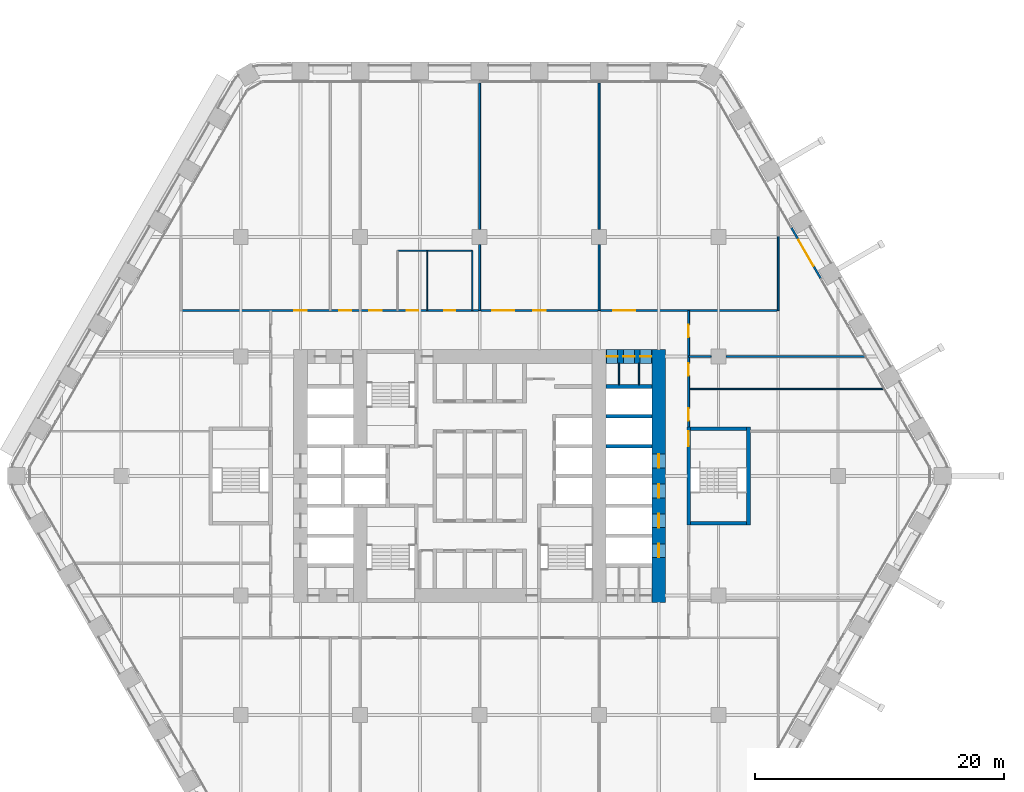
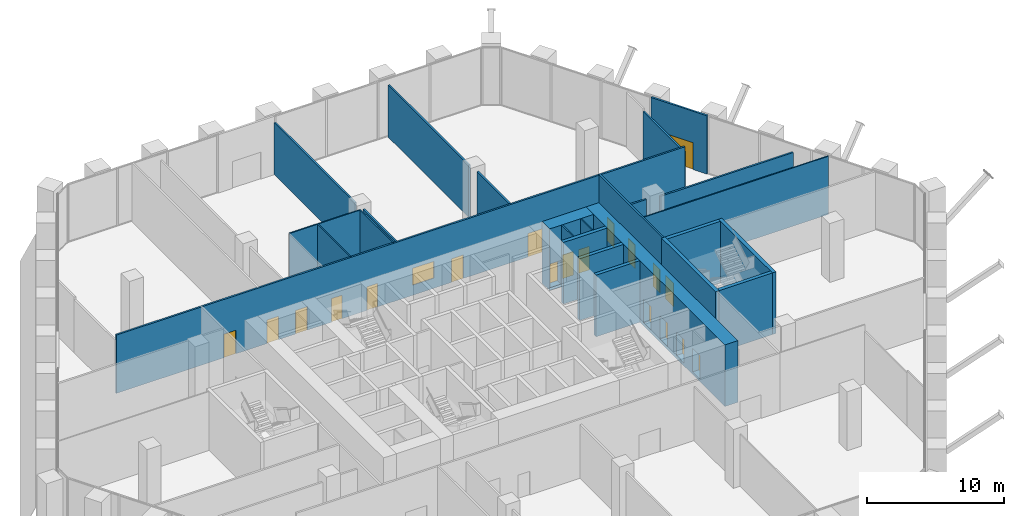
# One storey, part 22 of 29: 25 walls, 19 doors, 1 window, 20 openings.
"""IFC4 building model written with IfcOpenShell, lengths in metres."""

from ifc_helpers import new_model, si_unit, direction, frame, frame_2d, origin, place, context, subcontext, project, spatial, rectangle, extrude, material, layer, layer_set, type_object, element, fill, save


model = new_model("IFC4")

# Units and contexts
model_context = context("Model", 3, precision=1e-05, world=origin(), true_north=direction((0.0, 1.0)))
body_context = subcontext(model_context, "Body", "Model", "MODEL_VIEW")
ifc_project = project(units=[si_unit("LENGTHUNIT", "METRE"), si_unit("AREAUNIT", "SQUARE_METRE"), si_unit("VOLUMEUNIT", "CUBIC_METRE"), si_unit("PLANEANGLEUNIT", "RADIAN"), si_unit("MASSUNIT", "GRAM", prefix="KILO")], contexts=[model_context])

# Site, building, storey
site_placement = place(None, origin())
site = spatial("IfcSite", under=ifc_project, at=site_placement, CompositionType="ELEMENT")
building_placement = place(site_placement, origin())
building = spatial("IfcBuilding", under=site, at=building_placement, Name="Kolab Exchange Tower", CompositionType="ELEMENT")
storey_placement = place(building_placement, frame((0.0, 0.0, 55.39990234375)))
storey = spatial("IfcBuildingStorey", under=building, at=storey_placement, Name="L10", CompositionType="ELEMENT", Elevation=55.39990234375)

# Wall, openings, doors
ifc_material_1 = material(Name="Concrete C80/95", Category="concrete")
ifc_layer_1 = layer(ifc_material_1, 1.10009765625)
ifc_layer_set_1 = layer_set([ifc_layer_1], Name="Concrete C80/95")
wall_type_1 = type_object("IfcWallType", Name="CORE WALL 1100 C80/95", PredefinedType="SHEAR", material=ifc_layer_set_1)
wall_1_placement = place(storey_placement, frame((10.14990234375, 9.60009765625, -0.25), z_axis=(0.0, 0.0, 1.0), x_axis=(1.0, 0.0, 0.0)))
wall_1 = element("IfcWall", 1, at=wall_1_placement, inside=storey, type_object=wall_type_1, Name="wall/L10/core/053", PredefinedType="SHEAR", context=body_context, shape_type="SweptSolid", body=[
    extrude(rectangle(XDim=3.7001953125, YDim=1.10009765625, at=frame_2d((1.85009765625, 0.0))), origin(), (0.0, 0.0, 1.0), 5.5),
])
opening_1_placement = place(wall_1_placement, frame((0.050048828125, 0.0, 0.25)))
opening_1 = element("IfcOpeningElement", 2, at=opening_1_placement, cuts=wall_1, Name="Opening D6-119", PredefinedType="OPENING", context=body_context, shape_type="SweptSolid", body=[
    extrude(rectangle(XDim=0.89990234375, YDim=2.10009765625, at=frame_2d((0.449951171875, 1.050048828125))), frame((0.0, 0.56005859375, 0.0), z_axis=(0.0, -1.0, 0.0), x_axis=(1.0, 0.0, 0.0)), (0.0, 0.0, 1.0), 1.1201171875),
])
opening_2_placement = place(wall_1_placement, frame((1.39990234375, 0.0, 0.25)))
opening_2 = element("IfcOpeningElement", 3, at=opening_2_placement, cuts=wall_1, Name="Opening D6-114", PredefinedType="OPENING", context=body_context, shape_type="SweptSolid", body=[
    extrude(rectangle(XDim=0.89990234375, YDim=2.10009765625, at=frame_2d((0.449951171875, 1.050048828125))), frame((0.0, 0.56005859375, 0.0), z_axis=(0.0, -1.0, 0.0), x_axis=(1.0, 0.0, 0.0)), (0.0, 0.0, 1.0), 1.1201171875),
])
opening_3_placement = place(wall_1_placement, frame((2.75, 0.0, 0.25)))
opening_3 = element("IfcOpeningElement", 4, at=opening_3_placement, cuts=wall_1, Name="Opening D6-120", PredefinedType="OPENING", context=body_context, shape_type="SweptSolid", body=[
    extrude(rectangle(XDim=0.89990234375, YDim=2.10009765625, at=frame_2d((0.449951171875, 1.050048828125))), frame((0.0, 0.56005859375, 0.0), z_axis=(0.0, -1.0, 0.0), x_axis=(1.0, 0.0, 0.0)), (0.0, 0.0, 1.0), 1.1201171875),
])
ifc_material_2 = material(Name="Steel S235", Category="steel")
door_type_1 = type_object("IfcDoorType", Name="CORE DOOR 900 EI 120", OperationType="SINGLE_SWING_LEFT", PredefinedType="DOOR", material=ifc_material_2)
door_1_placement = place(opening_1_placement, frame((0.89990234375, 0.0, 0.0), z_axis=(0.0, 0.0, 1.0), x_axis=(-1.0, 0.0, 0.0)))
door_1 = element("IfcDoor", 5, at=door_1_placement, inside=storey, type_object=door_type_1, Name="Service room door", OperationType="SINGLE_SWING_RIGHT", OverallHeight=2.10009765625, OverallWidth=0.89990234375, PredefinedType="DOOR", context=body_context, shape_type="SweptSolid", body=[
    extrude(rectangle(XDim=0.89990234375, YDim=2.10009765625, at=frame_2d((0.449951171875, 1.050048828125))), frame((0.0, 0.02490234375, 0.0), z_axis=(0.0, -1.0, 0.0), x_axis=(1.0, 0.0, 0.0)), (0.0, 0.0, 1.0), 0.050048828125),
])
fill(opening_1, door_1)
door_2_placement = place(opening_2_placement, frame((0.89990234375, 0.0, 0.0), z_axis=(0.0, 0.0, 1.0), x_axis=(-1.0, 0.0, 0.0)))
door_2 = element("IfcDoor", 6, at=door_2_placement, inside=storey, type_object=door_type_1, Name="Service room door", OperationType="SINGLE_SWING_LEFT", OverallHeight=2.10009765625, OverallWidth=0.89990234375, PredefinedType="DOOR", context=body_context, shape_type="SweptSolid", body=[
    extrude(rectangle(XDim=0.89990234375, YDim=2.10009765625, at=frame_2d((0.449951171875, 1.050048828125))), frame((0.0, 0.02490234375, 0.0), z_axis=(0.0, -1.0, 0.0), x_axis=(1.0, 0.0, 0.0)), (0.0, 0.0, 1.0), 0.050048828125),
])
fill(opening_2, door_2)
door_3_placement = place(opening_3_placement, frame((0.89990234375, 0.0, 0.0), z_axis=(0.0, 0.0, 1.0), x_axis=(-1.0, 0.0, 0.0)))
door_3 = element("IfcDoor", 7, at=door_3_placement, inside=storey, type_object=door_type_1, Name="Service room door", OperationType="SINGLE_SWING_LEFT", OverallHeight=2.10009765625, OverallWidth=0.89990234375, PredefinedType="DOOR", context=body_context, shape_type="SweptSolid", body=[
    extrude(rectangle(XDim=0.89990234375, YDim=2.10009765625, at=frame_2d((0.449951171875, 1.050048828125))), frame((0.0, 0.02490234375, 0.0), z_axis=(0.0, -1.0, 0.0), x_axis=(1.0, 0.0, 0.0)), (0.0, 0.0, 1.0), 0.050048828125),
])
fill(opening_3, door_3)

wall_2_placement = place(storey_placement, frame((14.39990234375, -10.14990234375, -0.25), z_axis=(0.0, 0.0, 1.0), x_axis=(0.0, 1.0, 0.0)))
wall_2 = element("IfcWall", 8, at=wall_2_placement, inside=storey, type_object=wall_type_1, Name="wall/L10/core/081", PredefinedType="SHEAR", context=body_context, shape_type="SweptSolid", body=[
    extrude(rectangle(XDim=20.2998046875, YDim=1.10009765625, at=frame_2d((10.14990234375, 0.0))), origin(), (0.0, 0.0, 1.0), 5.5),
])
opening_4_placement = place(wall_2_placement, frame((3.60009765625, 0.0, 0.25)))
opening_4 = element("IfcOpeningElement", 9, at=opening_4_placement, cuts=wall_2, Name="Opening LD1-037", PredefinedType="OPENING", context=body_context, shape_type="SweptSolid", body=[
    extrude(rectangle(XDim=1.10009765625, YDim=2.10009765625, at=frame_2d((0.550048828125, 1.050048828125))), frame((0.0, 0.56005859375, 0.0), z_axis=(0.0, -1.0, 0.0), x_axis=(1.0, 0.0, 0.0)), (0.0, 0.0, 1.0), 1.1201171875),
])
opening_5_placement = place(wall_2_placement, frame((6.0, 0.0, 0.25)))
opening_5 = element("IfcOpeningElement", 10, at=opening_5_placement, cuts=wall_2, Name="Opening LD1-038", PredefinedType="OPENING", context=body_context, shape_type="SweptSolid", body=[
    extrude(rectangle(XDim=1.10009765625, YDim=2.10009765625, at=frame_2d((0.550048828125, 1.050048828125))), frame((0.0, 0.56005859375, 0.0), z_axis=(0.0, -1.0, 0.0), x_axis=(1.0, 0.0, 0.0)), (0.0, 0.0, 1.0), 1.1201171875),
])
opening_6_placement = place(wall_2_placement, frame((8.39990234375, 0.0, 0.25)))
opening_6 = element("IfcOpeningElement", 11, at=opening_6_placement, cuts=wall_2, Name="Opening LD1-039", PredefinedType="OPENING", context=body_context, shape_type="SweptSolid", body=[
    extrude(rectangle(XDim=1.10009765625, YDim=2.10009765625, at=frame_2d((0.550048828125, 1.050048828125))), frame((0.0, 0.56005859375, 0.0), z_axis=(0.0, -1.0, 0.0), x_axis=(1.0, 0.0, 0.0)), (0.0, 0.0, 1.0), 1.1201171875),
])
opening_7_placement = place(wall_2_placement, frame((10.800048828125, 0.0, 0.25)))
opening_7 = element("IfcOpeningElement", 12, at=opening_7_placement, cuts=wall_2, Name="Opening LD1-040", PredefinedType="OPENING", context=body_context, shape_type="SweptSolid", body=[
    extrude(rectangle(XDim=1.10009765625, YDim=2.10009765625, at=frame_2d((0.550048828125, 1.050048828125))), frame((0.0, 0.56005859375, 0.0), z_axis=(0.0, -1.0, 0.0), x_axis=(1.0, 0.0, 0.0)), (0.0, 0.0, 1.0), 1.1201171875),
])
ifc_material_3 = material(Name="Stainless steel 316", Category="steel")
door_type_2 = type_object("IfcDoorType", Name="LANDING DOOR 1100 PASSENGER", OperationType="DOUBLE_DOOR_SLIDING", PredefinedType="DOOR", material=ifc_material_3)
door_4_placement = place(opening_4_placement, origin())
door_4 = element("IfcDoor", 13, at=door_4_placement, inside=storey, type_object=door_type_2, Name="Landing door LR1", OperationType="DOUBLE_DOOR_SLIDING", OverallHeight=2.10009765625, OverallWidth=1.10009765625, PredefinedType="DOOR", context=body_context, shape_type="SweptSolid", body=[
    extrude(rectangle(XDim=1.10009765625, YDim=2.10009765625, at=frame_2d((0.550048828125, 1.050048828125))), frame((0.0, 0.02490234375, 0.0), z_axis=(0.0, -1.0, 0.0), x_axis=(1.0, 0.0, 0.0)), (0.0, 0.0, 1.0), 0.050048828125),
])
fill(opening_4, door_4)
door_5_placement = place(opening_5_placement, origin())
door_5 = element("IfcDoor", 14, at=door_5_placement, inside=storey, type_object=door_type_2, Name="Landing door LR2", OperationType="DOUBLE_DOOR_SLIDING", OverallHeight=2.10009765625, OverallWidth=1.10009765625, PredefinedType="DOOR", context=body_context, shape_type="SweptSolid", body=[
    extrude(rectangle(XDim=1.10009765625, YDim=2.10009765625, at=frame_2d((0.550048828125, 1.050048828125))), frame((0.0, 0.02490234375, 0.0), z_axis=(0.0, -1.0, 0.0), x_axis=(1.0, 0.0, 0.0)), (0.0, 0.0, 1.0), 0.050048828125),
])
fill(opening_5, door_5)
door_6_placement = place(opening_6_placement, origin())
door_6 = element("IfcDoor", 15, at=door_6_placement, inside=storey, type_object=door_type_2, Name="Landing door LR3", OperationType="DOUBLE_DOOR_SLIDING", OverallHeight=2.10009765625, OverallWidth=1.10009765625, PredefinedType="DOOR", context=body_context, shape_type="SweptSolid", body=[
    extrude(rectangle(XDim=1.10009765625, YDim=2.10009765625, at=frame_2d((0.550048828125, 1.050048828125))), frame((0.0, 0.02490234375, 0.0), z_axis=(0.0, -1.0, 0.0), x_axis=(1.0, 0.0, 0.0)), (0.0, 0.0, 1.0), 0.050048828125),
])
fill(opening_6, door_6)
door_7_placement = place(opening_7_placement, origin())
door_7 = element("IfcDoor", 16, at=door_7_placement, inside=storey, type_object=door_type_2, Name="Landing door LR4", OperationType="DOUBLE_DOOR_SLIDING", OverallHeight=2.10009765625, OverallWidth=1.10009765625, PredefinedType="DOOR", context=body_context, shape_type="SweptSolid", body=[
    extrude(rectangle(XDim=1.10009765625, YDim=2.10009765625, at=frame_2d((0.550048828125, 1.050048828125))), frame((0.0, 0.02490234375, 0.0), z_axis=(0.0, -1.0, 0.0), x_axis=(1.0, 0.0, 0.0)), (0.0, 0.0, 1.0), 0.050048828125),
])
fill(opening_7, door_7)

# Wall, opening, door
ifc_material_4 = material(Name="Aluminium EN AW-6063 T6", Category="aluminium")
ifc_layer_2 = layer(ifc_material_4, 0.159912109375)
ifc_layer_set_2 = layer_set([ifc_layer_2], Name="Aluminium EN AW-6063 T6")
wall_type_2 = type_object("IfcWallType", Name="DOOR SURROUND WALL 160 ALUMINIUM FRAMED", PredefinedType="PARTITIONING", material=ifc_layer_set_2)
wall_3_placement = place(storey_placement, frame((25.046630859375, 19.96875, 0.0), z_axis=(0.0, 0.0, 1.0), x_axis=(0.5000167099, -0.866015756104, 0.0)))
wall_3 = element("IfcWall", 17, at=wall_3_placement, inside=storey, type_object=wall_type_2, Name="Door surround wall", PredefinedType="PARTITIONING", context=body_context, shape_type="SweptSolid", body=[
    extrude(rectangle(XDim=4.739990234375, YDim=0.159912109375, at=frame_2d((2.3701171875, 0.0))), origin(), (0.0, 0.0, 1.0), 5.2001953125),
])
opening_8_placement = place(wall_3_placement, frame((1.169921875, 0.0, 0.0)))
opening_8 = element("IfcOpeningElement", 18, at=opening_8_placement, cuts=wall_3, Name="Opening GD1-024", PredefinedType="OPENING", context=body_context, shape_type="SweptSolid", body=[
    extrude(rectangle(XDim=2.39990234375, YDim=2.39990234375, at=frame_2d((1.199951171875, 1.199951171875))), frame((0.0, 0.08984375, 0.0), z_axis=(0.0, -1.0, 0.0), x_axis=(1.0, 0.0, 0.0)), (0.0, 0.0, 1.0), 0.179931640625),
])
door_type_3 = type_object("IfcDoorType", Name="LOGGIA SLIDING GLASS DOOR 2400 X 2400", OperationType="DOUBLE_DOOR_SINGLE_SWING", PredefinedType="DOOR", material=ifc_material_4)
door_8_placement = place(opening_8_placement, origin())
door_8 = element("IfcDoor", 19, at=door_8_placement, inside=storey, type_object=door_type_3, Name="Loggia door", OperationType="DOUBLE_DOOR_SLIDING", OverallHeight=2.39990234375, OverallWidth=2.39990234375, PredefinedType="DOOR", context=body_context, shape_type="SweptSolid", body=[
    extrude(rectangle(XDim=2.39990234375, YDim=2.39990234375, at=frame_2d((1.199951171875, 1.199951171875))), frame((0.0, 0.02490234375, 0.0), z_axis=(0.0, -1.0, 0.0), x_axis=(1.0, 0.0, 0.0)), (0.0, 0.0, 1.0), 0.050048828125),
])
fill(opening_8, door_8)

# Walls
ifc_material_5 = material(Name="Concrete C50/60", Category="concrete")
ifc_layer_3 = layer(ifc_material_5, 0.300048828125)
ifc_layer_set_3 = layer_set([ifc_layer_3], Name="Concrete C50/60")
wall_type_3 = type_object("IfcWallType", Name="LIFT SHAFT WALL 300 C50/60", PredefinedType="STANDARD", material=ifc_layer_set_3)
for number, where, z_axis, x_axis, name in (
    (20, (10.14990234375, 2.39990234375, -0.25), (0.0, 0.0, 1.0), (1.0, 0.0, 0.0), "wall/L10/core/036"),
    (21, (10.14990234375, 4.800048828125, -0.25), (0.0, 0.0, 1.0), (1.0, 0.0, 0.0), "wall/L10/core/044"),
    (22, (10.14990234375, 7.199951171875, -0.25), (0.0, 0.0, 1.0), (1.0, 0.0, 0.0), "wall/L10/core/050"),
):
    element("IfcWall", number, at=place(storey_placement, frame(where, z_axis=z_axis, x_axis=x_axis)), inside=storey, type_object=wall_type_3, Name=name, PredefinedType="STANDARD", context=body_context, shape_type="SweptSolid", body=[
        extrude(rectangle(XDim=3.7001953125, YDim=0.300048828125, at=frame_2d((1.85009765625, 0.0))), origin(), (0.0, 0.0, 1.0), 5.5),
    ])
ifc_material_6 = material(Name="Gypsum board", Category="gypsum")
ifc_layer_4 = layer(ifc_material_6, 0.10009765625)
ifc_layer_set_4 = layer_set([ifc_layer_4], Name="Gypsum board")
wall_type_4 = type_object("IfcWallType", Name="PARTITION 100", PredefinedType="PARTITIONING", material=ifc_layer_set_4)
for number, where, z_axis, x_axis, name in (
    (23, (12.800048828125, 7.35009765625, 0.0), (0.0, 0.0, 1.0), (0.0, 1.0, 0.0), "Partition 005"),
    (24, (11.199951171875, 7.35009765625, 0.0), (0.0, 0.0, 1.0), (0.0, 1.0, 0.0), "Partition 007"),
):
    element("IfcWall", number, at=place(storey_placement, frame(where, z_axis=z_axis, x_axis=x_axis)), inside=storey, type_object=wall_type_4, Name=name, PredefinedType="PARTITIONING", context=body_context, shape_type="SweptSolid", body=[
        extrude(rectangle(XDim=1.699951171875, YDim=0.10009765625, at=frame_2d((0.85009765625, 0.0))), origin(), (0.0, 0.0, 1.0), 5.25),
    ])
for number, where, z_axis, x_axis, name in (
    (25, (-0.60009765625, 13.300048828125, 0.0), (0.0, 0.0, 1.0), (0.0, 1.0, 0.0), "Partition 016"),
    (26, (-4.199951171875, 13.300048828125, 0.0), (0.0, 0.0, 1.0), (0.0, 1.0, 0.0), "Partition 017"),
):
    element("IfcWall", number, at=place(storey_placement, frame(where, z_axis=z_axis, x_axis=x_axis)), inside=storey, type_object=wall_type_4, Name=name, PredefinedType="PARTITIONING", context=body_context, shape_type="SweptSolid", body=[
        extrude(rectangle(XDim=4.800048828125, YDim=0.10009765625, at=frame_2d((2.39990234375, 0.0))), origin(), (0.0, 0.0, 1.0), 5.25),
    ])
wall_4_placement = place(storey_placement, frame((16.800048828125, 7.0, 0.0), z_axis=(0.0, 0.0, 1.0), x_axis=(1.0, 0.0, 0.0)))
element("IfcWall", 27, at=wall_4_placement, inside=storey, type_object=wall_type_4, Name="Partition 042", PredefinedType="PARTITIONING", context=body_context, shape_type="SweptSolid", body=[
    extrude(rectangle(XDim=15.687744140625, YDim=0.10009765625, at=frame_2d((7.84375, 0.0))), origin(), (0.0, 0.0, 1.0), 5.2001953125),
])
wall_5_placement = place(storey_placement, frame((-6.60009765625, 18.10009765625, 0.0), z_axis=(0.0, 0.0, 1.0), x_axis=(1.0, 0.0, 0.0)))
element("IfcWall", 28, at=wall_5_placement, inside=storey, type_object=wall_type_4, Name="Partition 049", PredefinedType="PARTITIONING", context=body_context, shape_type="SweptSolid", body=[
    extrude(rectangle(XDim=6.0, YDim=0.10009765625, at=frame_2d((3.0, 0.0))), origin(), (0.0, 0.0, 1.0), 5.25),
])
ifc_layer_5 = layer(ifc_material_6, 0.14990234375)
ifc_layer_set_5 = layer_set([ifc_layer_5], Name="Gypsum board")
wall_type_5 = type_object("IfcWallType", Name="PARTITION 150 FIRE-RATED", PredefinedType="PARTITIONING", material=ifc_layer_set_5)
wall_6_placement = place(storey_placement, frame((24.0, 13.300048828125, 0.0), z_axis=(0.0, 0.0, 1.0), x_axis=(0.0, 1.0, 0.0)))
element("IfcWall", 29, at=wall_6_placement, inside=storey, type_object=wall_type_5, Name="Partition 001", PredefinedType="PARTITIONING", context=body_context, shape_type="SweptSolid", body=[
    extrude(rectangle(XDim=5.973876953125, YDim=0.14990234375, at=frame_2d((2.98681640625, 0.0))), origin(), (0.0, 0.0, 1.0), 4.717041015625),
])

# Wall, openings, doors
wall_7_placement = place(storey_placement, frame((16.800048828125, 3.949951171875, 0.0), z_axis=(0.0, 0.0, 1.0), x_axis=(0.0, 1.0, 0.0)))
wall_7 = element("IfcWall", 30, at=wall_7_placement, inside=storey, type_object=wall_type_5, Name="Partition 003", PredefinedType="PARTITIONING", context=body_context, shape_type="SweptSolid", body=[
    extrude(rectangle(XDim=9.35009765625, YDim=0.14990234375, at=frame_2d((4.675048828125, 0.0))), origin(), (0.0, 0.0, 1.0), 5.25),
])
opening_9_placement = place(wall_7_placement, frame((0.4951171875, 0.0, 0.0)))
opening_9 = element("IfcOpeningElement", 31, at=opening_9_placement, cuts=wall_7, Name="Opening D1-126", PredefinedType="OPENING", context=body_context, shape_type="SweptSolid", body=[
    extrude(rectangle(XDim=1.0, YDim=2.10009765625, at=frame_2d((0.5, 1.050048828125))), frame((0.0, 0.0849609375, 0.0), z_axis=(0.0, -1.0, 0.0), x_axis=(1.0, 0.0, 0.0)), (0.0, 0.0, 1.0), 0.169921875),
])
opening_10_placement = place(wall_7_placement, frame((4.094970703125, 0.0, 0.0)))
opening_10 = element("IfcOpeningElement", 32, at=opening_10_placement, cuts=wall_7, Name="Opening D1-127", PredefinedType="OPENING", context=body_context, shape_type="SweptSolid", body=[
    extrude(rectangle(XDim=1.0, YDim=2.10009765625, at=frame_2d((0.5, 1.050048828125))), frame((0.0, 0.0849609375, 0.0), z_axis=(0.0, -1.0, 0.0), x_axis=(1.0, 0.0, 0.0)), (0.0, 0.0, 1.0), 0.169921875),
])
opening_11_placement = place(wall_7_placement, frame((7.199951171875, 0.0, 0.0)))
opening_11 = element("IfcOpeningElement", 33, at=opening_11_placement, cuts=wall_7, Name="Opening D1-119", PredefinedType="OPENING", context=body_context, shape_type="SweptSolid", body=[
    extrude(rectangle(XDim=1.0, YDim=2.10009765625, at=frame_2d((0.5, 1.050048828125))), frame((0.0, 0.0849609375, 0.0), z_axis=(0.0, -1.0, 0.0), x_axis=(1.0, 0.0, 0.0)), (0.0, 0.0, 1.0), 0.169921875),
])
door_type_4 = type_object("IfcDoorType", Name="FLUSH DOOR 1000 FD60", OperationType="SINGLE_SWING_LEFT", PredefinedType="DOOR", material=ifc_material_2)
door_9_placement = place(opening_9_placement, frame((1.0, 0.0, 0.0), z_axis=(0.0, 0.0, 1.0), x_axis=(-1.0, 0.0, 0.0)))
door_9 = element("IfcDoor", 34, at=door_9_placement, inside=storey, type_object=door_type_4, Name="Door L10-063", OperationType="SINGLE_SWING_LEFT", OverallHeight=2.10009765625, OverallWidth=1.0, PredefinedType="DOOR", context=body_context, shape_type="SweptSolid", body=[
    extrude(rectangle(XDim=1.0, YDim=2.10009765625, at=frame_2d((0.5, 1.050048828125))), frame((0.0, 0.02490234375, 0.0), z_axis=(0.0, -1.0, 0.0), x_axis=(1.0, 0.0, 0.0)), (0.0, 0.0, 1.0), 0.050048828125),
])
fill(opening_9, door_9)
door_10_placement = place(opening_10_placement, frame((1.0, 0.0, 0.0), z_axis=(0.0, 0.0, 1.0), x_axis=(-1.0, 0.0, 0.0)))
door_10 = element("IfcDoor", 35, at=door_10_placement, inside=storey, type_object=door_type_4, Name="Door L10-064", OperationType="SINGLE_SWING_RIGHT", OverallHeight=2.10009765625, OverallWidth=1.0, PredefinedType="DOOR", context=body_context, shape_type="SweptSolid", body=[
    extrude(rectangle(XDim=1.0, YDim=2.10009765625, at=frame_2d((0.5, 1.050048828125))), frame((0.0, 0.02490234375, 0.0), z_axis=(0.0, -1.0, 0.0), x_axis=(1.0, 0.0, 0.0)), (0.0, 0.0, 1.0), 0.050048828125),
])
fill(opening_10, door_10)
door_11_placement = place(opening_11_placement, frame((1.0, 0.0, 0.0), z_axis=(0.0, 0.0, 1.0), x_axis=(-1.0, 0.0, 0.0)))
door_11 = element("IfcDoor", 36, at=door_11_placement, inside=storey, type_object=door_type_4, Name="Door L10-065", OperationType="SINGLE_SWING_RIGHT", OverallHeight=2.10009765625, OverallWidth=1.0, PredefinedType="DOOR", context=body_context, shape_type="SweptSolid", body=[
    extrude(rectangle(XDim=1.0, YDim=2.10009765625, at=frame_2d((0.5, 1.050048828125))), frame((0.0, 0.02490234375, 0.0), z_axis=(0.0, -1.0, 0.0), x_axis=(1.0, 0.0, 0.0)), (0.0, 0.0, 1.0), 0.050048828125),
])
fill(opening_11, door_11)

# Walls
wall_8_placement = place(storey_placement, frame((9.60009765625, 13.300048828125, 0.0), z_axis=(0.0, 0.0, 1.0), x_axis=(0.0, 1.0, 0.0)))
element("IfcWall", 37, at=wall_8_placement, inside=storey, type_object=wall_type_5, Name="Partition 010", PredefinedType="PARTITIONING", context=body_context, shape_type="SweptSolid", body=[
    extrude(rectangle(XDim=5.300048828125, YDim=0.14990234375, at=frame_2d((2.64990234375, 0.0))), origin(), (0.0, 0.0, 1.0), 4.793212890625),
])
wall_9_placement = place(storey_placement, frame((9.60009765625, 19.800048828125, 0.0), z_axis=(0.0, 0.0, 1.0), x_axis=(0.0, 1.0, 0.0)))
element("IfcWall", 38, at=wall_9_placement, inside=storey, type_object=wall_type_5, Name="Partition 011", PredefinedType="PARTITIONING", context=body_context, shape_type="SweptSolid", body=[
    extrude(rectangle(XDim=11.785400390625, YDim=0.14990234375, at=frame_2d((5.892578125, 0.0))), origin(), (0.0, 0.0, 1.0), 4.64208984375),
])
wall_10_placement = place(storey_placement, frame((0.0, 13.300048828125, 0.0), z_axis=(0.0, 0.0, 1.0), x_axis=(0.0, 1.0, 0.0)))
element("IfcWall", 39, at=wall_10_placement, inside=storey, type_object=wall_type_5, Name="Partition 014", PredefinedType="PARTITIONING", context=body_context, shape_type="SweptSolid", body=[
    extrude(rectangle(XDim=5.300048828125, YDim=0.14990234375, at=frame_2d((2.64990234375, 0.0))), origin(), (0.0, 0.0, 1.0), 4.793212890625),
])
wall_11_placement = place(storey_placement, frame((0.0, 19.800048828125, 0.0), z_axis=(0.0, 0.0, 1.0), x_axis=(0.0, 1.0, 0.0)))
element("IfcWall", 40, at=wall_11_placement, inside=storey, type_object=wall_type_5, Name="Partition 015", PredefinedType="PARTITIONING", context=body_context, shape_type="SweptSolid", body=[
    extrude(rectangle(XDim=11.79541015625, YDim=0.14990234375, at=frame_2d((5.897705078125, 0.0))), origin(), (0.0, 0.0, 1.0), 4.64208984375),
])
wall_12_placement = place(storey_placement, frame((16.800048828125, 9.60009765625, 0.0), z_axis=(0.0, 0.0, 1.0), x_axis=(1.0, 0.0, 0.0)))
element("IfcWall", 41, at=wall_12_placement, inside=storey, type_object=wall_type_5, Name="Partition 044", PredefinedType="PARTITIONING", context=body_context, shape_type="SweptSolid", body=[
    extrude(rectangle(XDim=1.800048828125, YDim=0.14990234375, at=frame_2d((0.89990234375, 0.0))), origin(), (0.0, 0.0, 1.0), 4.64208984375),
])
wall_13_placement = place(storey_placement, frame((19.800048828125, 9.60009765625, 0.0), z_axis=(0.0, 0.0, 1.0), x_axis=(1.0, 0.0, 0.0)))
element("IfcWall", 42, at=wall_13_placement, inside=storey, type_object=wall_type_5, Name="Partition 045", PredefinedType="PARTITIONING", context=body_context, shape_type="SweptSolid", body=[
    extrude(rectangle(XDim=11.186767578125, YDim=0.14990234375, at=frame_2d((5.59326171875, 0.0))), origin(), (0.0, 0.0, 1.0), 4.488037109375),
])

# Wall, openings, doors, window
wall_14_placement = place(storey_placement, frame((-24.0, 13.300048828125, 0.0), z_axis=(0.0, 0.0, 1.0), x_axis=(1.0, 0.0, 0.0)))
wall_14 = element("IfcWall", 43, at=wall_14_placement, inside=storey, type_object=wall_type_5, Name="Partition 048", PredefinedType="PARTITIONING", context=body_context, shape_type="SweptSolid", body=[
    extrude(rectangle(XDim=48.0, YDim=0.14990234375, at=frame_2d((24.0, 0.0))), origin(), (0.0, 0.0, 1.0), 5.2001953125),
])
opening_12_placement = place(wall_14_placement, frame((9.10009765625, 0.0, 0.0)))
opening_12 = element("IfcOpeningElement", 44, at=opening_12_placement, cuts=wall_14, Name="Opening D1-129", PredefinedType="OPENING", context=body_context, shape_type="SweptSolid", body=[
    extrude(rectangle(XDim=1.0, YDim=2.10009765625, at=frame_2d((0.5, 1.050048828125))), frame((0.0, 0.0849609375, 0.0), z_axis=(0.0, -1.0, 0.0), x_axis=(1.0, 0.0, 0.0)), (0.0, 0.0, 1.0), 0.169921875),
])
opening_13_placement = place(wall_14_placement, frame((12.699951171875, 0.0, 0.0)))
opening_13 = element("IfcOpeningElement", 45, at=opening_13_placement, cuts=wall_14, Name="Opening D1-130", PredefinedType="OPENING", context=body_context, shape_type="SweptSolid", body=[
    extrude(rectangle(XDim=1.0, YDim=2.10009765625, at=frame_2d((0.5, 1.050048828125))), frame((0.0, 0.0849609375, 0.0), z_axis=(0.0, -1.0, 0.0), x_axis=(1.0, 0.0, 0.0)), (0.0, 0.0, 1.0), 0.169921875),
])
opening_14_placement = place(wall_14_placement, frame((15.125, 0.0, 0.0)))
opening_14 = element("IfcOpeningElement", 46, at=opening_14_placement, cuts=wall_14, Name="Opening D1-131", PredefinedType="OPENING", context=body_context, shape_type="SweptSolid", body=[
    extrude(rectangle(XDim=1.0, YDim=2.10009765625, at=frame_2d((0.5, 1.050048828125))), frame((0.0, 0.0849609375, 0.0), z_axis=(0.0, -1.0, 0.0), x_axis=(1.0, 0.0, 0.0)), (0.0, 0.0, 1.0), 0.169921875),
])
opening_15_placement = place(wall_14_placement, frame((28.300048828125, 0.0, 0.0)))
opening_15 = element("IfcOpeningElement", 47, at=opening_15_placement, cuts=wall_14, Name="Opening D1-132", PredefinedType="OPENING", context=body_context, shape_type="SweptSolid", body=[
    extrude(rectangle(XDim=1.0, YDim=2.10009765625, at=frame_2d((0.5, 1.050048828125))), frame((0.0, 0.0849609375, 0.0), z_axis=(0.0, -1.0, 0.0), x_axis=(1.0, 0.0, 0.0)), (0.0, 0.0, 1.0), 0.169921875),
])
opening_16_placement = place(wall_14_placement, frame((34.72509765625, 0.0, 0.0)))
opening_16 = element("IfcOpeningElement", 48, at=opening_16_placement, cuts=wall_14, Name="Opening D2-030", PredefinedType="OPENING", context=body_context, shape_type="SweptSolid", body=[
    extrude(rectangle(XDim=1.800048828125, YDim=2.10009765625, at=frame_2d((0.89990234375, 1.050048828125))), frame((0.0, 0.0849609375, 0.0), z_axis=(0.0, -1.0, 0.0), x_axis=(1.0, 0.0, 0.0)), (0.0, 0.0, 1.0), 0.169921875),
])
opening_17_placement = place(wall_14_placement, frame((21.14990234375, 0.0, 0.0)))
opening_17 = element("IfcOpeningElement", 49, at=opening_17_placement, cuts=wall_14, Name="Opening D3-015", PredefinedType="OPENING", context=body_context, shape_type="SweptSolid", body=[
    extrude(rectangle(XDim=0.89990234375, YDim=2.10009765625, at=frame_2d((0.449951171875, 1.050048828125))), frame((0.0, 0.0849609375, 0.0), z_axis=(0.0, -1.0, 0.0), x_axis=(1.0, 0.0, 0.0)), (0.0, 0.0, 1.0), 0.169921875),
])
opening_18_placement = place(wall_14_placement, frame((18.14990234375, 0.0, 0.0)))
opening_18 = element("IfcOpeningElement", 50, at=opening_18_placement, cuts=wall_14, Name="Opening D3-016", PredefinedType="OPENING", context=body_context, shape_type="SweptSolid", body=[
    extrude(rectangle(XDim=0.89990234375, YDim=2.10009765625, at=frame_2d((0.449951171875, 1.050048828125))), frame((0.0, 0.0849609375, 0.0), z_axis=(0.0, -1.0, 0.0), x_axis=(1.0, 0.0, 0.0)), (0.0, 0.0, 1.0), 0.169921875),
])
opening_19_placement = place(wall_14_placement, frame((25.0, 0.0, 0.89990234375)))
opening_19 = element("IfcOpeningElement", 51, at=opening_19_placement, cuts=wall_14, Name="Opening W1-004", PredefinedType="OPENING", context=body_context, shape_type="SweptSolid", body=[
    extrude(rectangle(XDim=1.800048828125, YDim=1.5, at=frame_2d((0.89990234375, 0.75))), frame((0.0, 0.0849609375, 0.0), z_axis=(0.0, -1.0, 0.0), x_axis=(1.0, 0.0, 0.0)), (0.0, 0.0, 1.0), 0.169921875),
])
door_type_5 = type_object("IfcDoorType", Name="DOUBLE DOOR 1800 FD60", OperationType="DOUBLE_DOOR_SINGLE_SWING", PredefinedType="DOOR", material=ifc_material_2)
door_12_placement = place(opening_16_placement, origin())
door_12 = element("IfcDoor", 52, at=door_12_placement, inside=storey, type_object=door_type_5, Name="Door L10-055", OperationType="SINGLE_SWING_LEFT", OverallHeight=2.10009765625, OverallWidth=1.800048828125, PredefinedType="DOOR", context=body_context, shape_type="SweptSolid", body=[
    extrude(rectangle(XDim=1.800048828125, YDim=2.10009765625, at=frame_2d((0.89990234375, 1.050048828125))), frame((0.0, 0.02490234375, 0.0), z_axis=(0.0, -1.0, 0.0), x_axis=(1.0, 0.0, 0.0)), (0.0, 0.0, 1.0), 0.050048828125),
])
fill(opening_16, door_12)
door_13_placement = place(opening_12_placement, origin())
door_13 = element("IfcDoor", 53, at=door_13_placement, inside=storey, type_object=door_type_4, Name="Door L10-051", OperationType="SINGLE_SWING_RIGHT", OverallHeight=2.10009765625, OverallWidth=1.0, PredefinedType="DOOR", context=body_context, shape_type="SweptSolid", body=[
    extrude(rectangle(XDim=1.0, YDim=2.10009765625, at=frame_2d((0.5, 1.050048828125))), frame((0.0, 0.02490234375, 0.0), z_axis=(0.0, -1.0, 0.0), x_axis=(1.0, 0.0, 0.0)), (0.0, 0.0, 1.0), 0.050048828125),
])
fill(opening_12, door_13)
door_14_placement = place(opening_13_placement, origin())
door_14 = element("IfcDoor", 54, at=door_14_placement, inside=storey, type_object=door_type_4, Name="Door L10-052", OperationType="SINGLE_SWING_LEFT", OverallHeight=2.10009765625, OverallWidth=1.0, PredefinedType="DOOR", context=body_context, shape_type="SweptSolid", body=[
    extrude(rectangle(XDim=1.0, YDim=2.10009765625, at=frame_2d((0.5, 1.050048828125))), frame((0.0, 0.02490234375, 0.0), z_axis=(0.0, -1.0, 0.0), x_axis=(1.0, 0.0, 0.0)), (0.0, 0.0, 1.0), 0.050048828125),
])
fill(opening_13, door_14)
door_15_placement = place(opening_14_placement, origin())
door_15 = element("IfcDoor", 55, at=door_15_placement, inside=storey, type_object=door_type_4, Name="Door L10-053", OperationType="SINGLE_SWING_LEFT", OverallHeight=2.10009765625, OverallWidth=1.0, PredefinedType="DOOR", context=body_context, shape_type="SweptSolid", body=[
    extrude(rectangle(XDim=1.0, YDim=2.10009765625, at=frame_2d((0.5, 1.050048828125))), frame((0.0, 0.02490234375, 0.0), z_axis=(0.0, -1.0, 0.0), x_axis=(1.0, 0.0, 0.0)), (0.0, 0.0, 1.0), 0.050048828125),
])
fill(opening_14, door_15)
door_16_placement = place(opening_15_placement, origin())
door_16 = element("IfcDoor", 56, at=door_16_placement, inside=storey, type_object=door_type_4, Name="Door L10-054", OperationType="SINGLE_SWING_RIGHT", OverallHeight=2.10009765625, OverallWidth=1.0, PredefinedType="DOOR", context=body_context, shape_type="SweptSolid", body=[
    extrude(rectangle(XDim=1.0, YDim=2.10009765625, at=frame_2d((0.5, 1.050048828125))), frame((0.0, 0.02490234375, 0.0), z_axis=(0.0, -1.0, 0.0), x_axis=(1.0, 0.0, 0.0)), (0.0, 0.0, 1.0), 0.050048828125),
])
fill(opening_15, door_16)
door_type_6 = type_object("IfcDoorType", Name="FLUSH DOOR 900 FD60", OperationType="SINGLE_SWING_LEFT", PredefinedType="DOOR", material=ifc_material_2)
door_17_placement = place(opening_17_placement, origin())
door_17 = element("IfcDoor", 57, at=door_17_placement, inside=storey, type_object=door_type_6, Name="Door L10-071", OperationType="SINGLE_SWING_LEFT", OverallHeight=2.10009765625, OverallWidth=0.89990234375, PredefinedType="DOOR", context=body_context, shape_type="SweptSolid", body=[
    extrude(rectangle(XDim=0.89990234375, YDim=2.10009765625, at=frame_2d((0.449951171875, 1.050048828125))), frame((0.0, 0.02490234375, 0.0), z_axis=(0.0, -1.0, 0.0), x_axis=(1.0, 0.0, 0.0)), (0.0, 0.0, 1.0), 0.050048828125),
])
fill(opening_17, door_17)
door_18_placement = place(opening_18_placement, origin())
door_18 = element("IfcDoor", 58, at=door_18_placement, inside=storey, type_object=door_type_6, Name="Door L10-072", OperationType="SINGLE_SWING_LEFT", OverallHeight=2.10009765625, OverallWidth=0.89990234375, PredefinedType="DOOR", context=body_context, shape_type="SweptSolid", body=[
    extrude(rectangle(XDim=0.89990234375, YDim=2.10009765625, at=frame_2d((0.449951171875, 1.050048828125))), frame((0.0, 0.02490234375, 0.0), z_axis=(0.0, -1.0, 0.0), x_axis=(1.0, 0.0, 0.0)), (0.0, 0.0, 1.0), 0.050048828125),
])
fill(opening_18, door_18)
ifc_material_7 = material(Name="Fire-rated glazing", Category="glass")
window_type = type_object("IfcWindowType", Name="OBSERVATION WINDOW 1800 X 1500 EI 60", PartitioningType="SINGLE_PANEL", PredefinedType="WINDOW", material=ifc_material_7)
window_placement = place(opening_19_placement, origin())
window = element("IfcWindow", 59, at=window_placement, inside=storey, type_object=window_type, Name="Viewing window L10-2", OverallHeight=1.5, OverallWidth=1.800048828125, PartitioningType="SINGLE_PANEL", PredefinedType="WINDOW", context=body_context, shape_type="SweptSolid", body=[
    extrude(rectangle(XDim=1.800048828125, YDim=1.5, at=frame_2d((0.89990234375, 0.75))), frame((0.0, 0.030029296875, 0.0), z_axis=(0.0, -1.0, 0.0), x_axis=(1.0, 0.0, 0.0)), (0.0, 0.0, 1.0), 0.06005859375),
])
fill(opening_19, window)

# Walls
ifc_layer_6 = layer(ifc_material_5, 0.300048828125)
ifc_layer_set_6 = layer_set([ifc_layer_6], Name="Concrete C50/60")
wall_type_6 = type_object("IfcWallType", Name="STAIR ENCLOSURE WALL 300 C50/60", PredefinedType="STANDARD", material=ifc_layer_set_6)
for number, where, z_axis, x_axis, name in (
    (60, (16.949951171875, -3.800048828125, -0.25), (0.0, 0.0, 1.0), (1.0, 0.0, 0.0), "wall/L10/core/013"),
    (61, (16.949951171875, 3.800048828125, -0.25), (0.0, 0.0, 1.0), (1.0, 0.0, 0.0), "wall/L10/core/041"),
):
    element("IfcWall", number, at=place(storey_placement, frame(where, z_axis=z_axis, x_axis=x_axis)), inside=storey, type_object=wall_type_6, Name=name, PredefinedType="STANDARD", context=body_context, shape_type="SweptSolid", body=[
        extrude(rectangle(XDim=4.5, YDim=0.300048828125, at=frame_2d((2.25, 0.0))), origin(), (0.0, 0.0, 1.0), 5.5),
    ])

# Wall, opening, door
wall_15_placement = place(storey_placement, frame((16.800048828125, -3.949951171875, -0.25), z_axis=(0.0, 0.0, 1.0), x_axis=(0.0, 1.0, 0.0)))
wall_15 = element("IfcWall", 62, at=wall_15_placement, inside=storey, type_object=wall_type_6, Name="wall/L10/core/082", PredefinedType="STANDARD", context=body_context, shape_type="SweptSolid", body=[
    extrude(rectangle(XDim=7.89990234375, YDim=0.300048828125, at=frame_2d((3.949951171875, 0.0))), origin(), (0.0, 0.0, 1.0), 5.5),
])
opening_20_placement = place(wall_15_placement, frame((6.35009765625, 0.0, 0.25)))
opening_20 = element("IfcOpeningElement", 63, at=opening_20_placement, cuts=wall_15, Name="Opening D4-023", PredefinedType="OPENING", context=body_context, shape_type="SweptSolid", body=[
    extrude(rectangle(XDim=1.199951171875, YDim=2.10009765625, at=frame_2d((0.60009765625, 1.050048828125))), frame((0.0, 0.16015625, 0.0), z_axis=(0.0, -1.0, 0.0), x_axis=(1.0, 0.0, 0.0)), (0.0, 0.0, 1.0), 0.320068359375),
])
door_type_7 = type_object("IfcDoorType", Name="STAIR DOOR 1200 EI 120", OperationType="SINGLE_SWING_LEFT", PredefinedType="DOOR", material=ifc_material_2)
door_19_placement = place(opening_20_placement, frame((1.199951171875, 0.0, 0.0), z_axis=(0.0, 0.0, 1.0), x_axis=(-1.0, 0.0, 0.0)))
door_19 = element("IfcDoor", 64, at=door_19_placement, inside=storey, type_object=door_type_7, Name="Stair 4 door", OperationType="SINGLE_SWING_RIGHT", OverallHeight=2.10009765625, OverallWidth=1.199951171875, PredefinedType="DOOR", context=body_context, shape_type="SweptSolid", body=[
    extrude(rectangle(XDim=1.199951171875, YDim=2.10009765625, at=frame_2d((0.60009765625, 1.050048828125))), frame((0.0, 0.02490234375, 0.0), z_axis=(0.0, -1.0, 0.0), x_axis=(1.0, 0.0, 0.0)), (0.0, 0.0, 1.0), 0.050048828125),
])
fill(opening_20, door_19)

# Wall
wall_16_placement = place(storey_placement, frame((21.60009765625, -3.949951171875, -0.25), z_axis=(0.0, 0.0, 1.0), x_axis=(0.0, 1.0, 0.0)))
element("IfcWall", 65, at=wall_16_placement, inside=storey, type_object=wall_type_6, Name="wall/L10/core/083", PredefinedType="STANDARD", context=body_context, shape_type="SweptSolid", body=[
    extrude(rectangle(XDim=7.89990234375, YDim=0.300048828125, at=frame_2d((3.949951171875, 0.0))), origin(), (0.0, 0.0, 1.0), 5.5),
])

save(model, "model.ifc")
